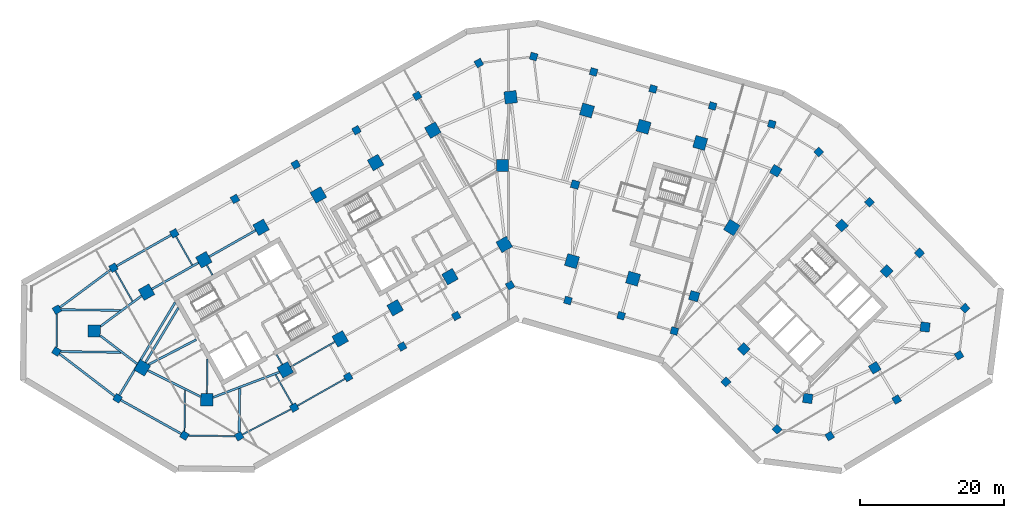
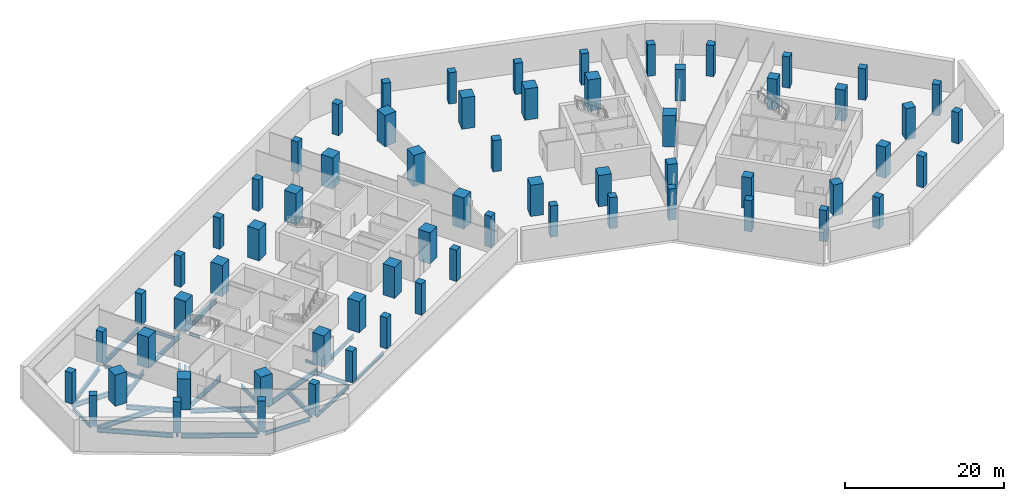
# One storey, part 1 of 13: 65 columns, 28 beams.
"""IFC4 building model written with IfcOpenShell, lengths in metres."""

from ifc_helpers import new_model, si_unit, direction, frame, origin, origin_2d, place, context, subcontext, project, spatial, rectangle, i_section, extrude, material, material_profile, profile_set, type_object, element, save


model = new_model("IFC4")

# Units and contexts
model_context = context("Model", 3, precision=1e-05, world=origin(), true_north=direction((0.0, 1.0)))
body_context = subcontext(model_context, "Body", "Model", "MODEL_VIEW")
ifc_project = project(units=[si_unit("LENGTHUNIT", "METRE"), si_unit("AREAUNIT", "SQUARE_METRE"), si_unit("VOLUMEUNIT", "CUBIC_METRE"), si_unit("PLANEANGLEUNIT", "RADIAN"), si_unit("MASSUNIT", "GRAM", prefix="KILO")], contexts=[model_context])

# Site, building, storey
site_placement = place(None, origin())
site = spatial("IfcSite", under=ifc_project, at=site_placement, CompositionType="ELEMENT")
building_placement = place(site_placement, origin())
building = spatial("IfcBuilding", under=site, at=building_placement, Name="Binnacle Exchange Tower", CompositionType="ELEMENT")
storey_placement = place(building_placement, frame((0.0, 0.0, -4.800048828125)))
storey = spatial("IfcBuildingStorey", under=building, at=storey_placement, Name="B1", CompositionType="ELEMENT", Elevation=-4.800048828125)

# Columns
ifc_material_1 = material(Name="Concrete C60/75", Category="concrete")
ifc_material_profile_1 = material_profile(ifc_material_1, rectangle(XDim=1.10009765625, YDim=1.10009765625, at=origin_2d()), Name="Column 1100x1100 C60/75")
ifc_profile_set_1 = profile_set([ifc_material_profile_1], Name="Concrete C60/75")
column_type_1 = type_object("IfcColumnType", Name="Column 1100x1100 C60/75", PredefinedType="COLUMN", material=ifc_profile_set_1)
column_placement = place(storey_placement, frame((9.240966796875, 57.35009765625, 0.0), z_axis=(0.0, 0.0, 1.0), x_axis=(0.961261695938, -0.275637355817, 0.0)))
element("IfcColumn", 1, at=column_placement, inside=storey, type_object=column_type_1, Name="S:COL:C19:B1", PredefinedType="COLUMN", context=body_context, shape_type="SweptSolid", body=[
    extrude(rectangle(XDim=1.10009765625, YDim=1.10009765625, at=origin_2d()), origin(), (0.0, 0.0, 1.0), 4.800048828125),
])
ifc_material_2 = material(Name="Concrete C70/85", Category="concrete")
ifc_material_profile_2 = material_profile(ifc_material_2, rectangle(XDim=1.300048828125, YDim=1.300048828125, at=origin_2d()), Name="Mega column 1300x1300 C70/85")
ifc_profile_set_2 = profile_set([ifc_material_profile_2], Name="Concrete C70/85")
column_type_2 = type_object("IfcColumnType", Name="Mega column 1300x1300 C70/85", PredefinedType="COLUMN", material=ifc_profile_set_2)
for number, where, z_axis, x_axis, name in (
    (2, (37.0849609375, 59.262451171875, 0.0), (0.0, 0.0, 1.0), (-0.859406411501, 0.511293086077, 0.0), "S:COL:MC57:B1"),
    (3, (25.766845703125, 41.85986328125, 0.0), (0.0, 0.0, 1.0), (0.961261695938, -0.275637355817, 0.0), "S:COL:MC56:B1"),
    (4, (32.64111328125, 34.530029296875, 0.0), (0.0, 0.0, 1.0), (0.7009092643, -0.713250449154, 0.0), "S:COL:MC59:B1"),
    (5, (41.519775390625, 27.6748046875, 0.0), (0.0, 0.0, 1.0), (0.99200494968, -0.126198969136, 0.0), "S:COL:MC61:B1"),
    (6, (50.81201171875, 31.930908203125, 0.0), (0.0, 0.0, 1.0), (0.857167300702, 0.51503807491, 0.0), "S:COL:MC63:B1"),
    (7, (57.799072265625, 37.5810546875, 0.0), (0.0, 0.0, 1.0), (0.126198969136, 0.99200494968, 0.0), "S:COL:MC62:B1"),
    (8, (52.466796875, 45.33935546875, 0.0), (0.0, 0.0, 1.0), (-0.7009092643, 0.713250449154, 0.0), "S:COL:MC60:B1"),
    (9, (46.248291015625, 51.667236328125, 0.0), (0.0, 0.0, 1.0), (-0.7009092643, 0.713250449154, 0.0), "S:COL:MC58:B1"),
):
    element("IfcColumn", number, at=place(storey_placement, frame(where, z_axis=z_axis, x_axis=x_axis)), inside=storey, type_object=column_type_2, Name=name, PredefinedType="COLUMN", context=body_context, shape_type="SweptSolid", body=[
        extrude(rectangle(XDim=1.300048828125, YDim=1.300048828125, at=origin_2d()), origin(), (0.0, 0.0, 1.0), 4.800048828125),
    ])
ifc_material_profile_3 = material_profile(ifc_material_2, rectangle(XDim=1.699951171875, YDim=1.699951171875, at=origin_2d()), Name="Mega column 1700x1700 C70/85")
ifc_profile_set_3 = profile_set([ifc_material_profile_3], Name="Concrete C70/85")
column_type_3 = type_object("IfcColumnType", Name="Mega column 1700x1700 C70/85", PredefinedType="COLUMN", material=ifc_profile_set_3)
for number, where, z_axis, x_axis, name in (
    (10, (26.602783203125, 63.12353515625, 0.0), (0.0, 0.0, 1.0), (-0.961261695938, 0.275637355817, 0.0), "S:COL:MC52:B1"),
    (11, (18.746337890625, 65.376220703125, 0.0), (0.0, 0.0, 1.0), (-0.961261695938, 0.275637355817, 0.0), "S:COL:MC50:B1"),
    (12, (10.889892578125, 67.62890625, 0.0), (0.0, 0.0, 1.0), (-0.961261695938, 0.275637355817, 0.0), "S:COL:MC48:B1"),
    (13, (0.300048828125, 69.464111328125, 0.0), (0.0, 0.0, 1.0), (-0.993068456955, -0.117537397458, 0.0), "S:COL:MC47:B1"),
    (14, (-10.4951171875, 64.901611328125, 0.0), (0.0, 0.0, 1.0), (-0.87035569594, -0.492423560103, 0.0), "S:COL:MC38:B1"),
    (15, (-18.44140625, 60.406005859375, 0.0), (0.0, 0.0, 1.0), (-0.87035569594, -0.492423560103, 0.0), "S:COL:MC29:B1"),
    (16, (-26.3876953125, 55.91015625, 0.0), (0.0, 0.0, 1.0), (-0.87035569594, -0.492423560103, 0.0), "S:COL:MC21:B1"),
    (17, (-34.333740234375, 51.414306640625, 0.0), (0.0, 0.0, 1.0), (-0.87035569594, -0.492423560103, 0.0), "S:COL:MC13:B1"),
    (18, (-42.280029296875, 46.918701171875, 0.0), (0.0, 0.0, 1.0), (-0.87035569594, -0.492423560103, 0.0), "S:COL:MC08:B1"),
    (19, (-50.226318359375, 42.4228515625, 0.0), (0.0, 0.0, 1.0), (-0.87035569594, -0.492423560103, 0.0), "S:COL:MC04:B1"),
    (20, (-57.492919921875, 37.02734375, 0.0), (0.0, 0.0, 1.0), (-0.013089595571, -0.999914327574, 0.0), "S:COL:MC02:B1"),
    (21, (-50.81201171875, 31.930908203125, 0.0), (0.0, 0.0, 1.0), (0.857167300702, -0.51503807491, 0.0), "S:COL:MC01:B1"),
    (22, (-41.857666015625, 27.494873046875, 0.0), (0.0, 0.0, 1.0), (0.999914327574, -0.013089595571, 0.0), "S:COL:MC03:B1"),
    (23, (-30.9755859375, 31.63525390625, 0.0), (0.0, 0.0, 1.0), (0.87035569594, 0.492423560103, 0.0), "S:COL:MC07:B1"),
    (24, (-23.35595703125, 35.9462890625, 0.0), (0.0, 0.0, 1.0), (0.87035569594, 0.492423560103, 0.0), "S:COL:MC16:B1"),
    (25, (-15.736328125, 40.257080078125, 0.0), (0.0, 0.0, 1.0), (0.87035569594, 0.492423560103, 0.0), "S:COL:MC24:B1"),
    (26, (-8.116943359375, 44.568115234375, 0.0), (0.0, 0.0, 1.0), (0.87035569594, 0.492423560103, 0.0), "S:COL:MC35:B1"),
    (27, (-0.5908203125, 49.04443359375, 0.0), (0.0, 0.0, 1.0), (0.87035569594, 0.492423560103, 0.0), "S:COL:MC46:B1"),
    (28, (8.8095703125, 46.722412109375, 0.0), (0.0, 0.0, 1.0), (0.961261695938, -0.275637355817, 0.0), "S:COL:MC49:B1"),
    (29, (17.2880859375, 44.291015625, 0.0), (0.0, 0.0, 1.0), (0.961261695938, -0.275637355817, 0.0), "S:COL:MC51:B1"),
    (30, (30.989501953125, 51.38623046875, 0.0), (0.0, 0.0, 1.0), (0.529919264233, 0.848048096156, 0.0), "S:COL:MC55:B1"),
    (31, (-0.85009765625, 60.0, 0.0), (0.0, 0.0, 1.0), (0.0, 1.0, 0.0), "S:COL:MC45:B1"),
):
    element("IfcColumn", number, at=place(storey_placement, frame(where, z_axis=z_axis, x_axis=x_axis)), inside=storey, type_object=column_type_3, Name=name, PredefinedType="COLUMN", context=body_context, shape_type="SweptSolid", body=[
        extrude(rectangle(XDim=1.699951171875, YDim=1.699951171875, at=origin_2d()), origin(), (0.0, 0.0, 1.0), 4.800048828125),
    ])
ifc_material_3 = material(Name="Concrete C50/60", Category="concrete")
ifc_material_profile_4 = material_profile(ifc_material_3, rectangle(XDim=1.0, YDim=1.0, at=origin_2d()), Name="Podium column 1000x1000 C50/60")
ifc_profile_set_4 = profile_set([ifc_material_profile_4], Name="Concrete C50/60")
column_type_4 = type_object("IfcColumnType", Name="Podium column 1000x1000 C50/60", PredefinedType="COLUMN", material=ifc_profile_set_4)
for number, where, z_axis, x_axis, name in (
    (32, (36.5283203125, 65.739013671875, 0.0), (0.0, 0.0, 1.0), (-0.961261695938, 0.275637355817, 0.0), "S:COL:C25:B1"),
    (33, (28.31591796875, 68.249755859375, 0.0), (0.0, 0.0, 1.0), (-0.961261695938, 0.275637355817, 0.0), "S:COL:C24:B1"),
    (34, (20.0625, 70.616455078125, 0.0), (0.0, 0.0, 1.0), (-0.961261695938, 0.275637355817, 0.0), "S:COL:C22:B1"),
    (35, (11.808837890625, 72.983154296875, 0.0), (0.0, 0.0, 1.0), (-0.961261695938, 0.275637355817, 0.0), "S:COL:C20:B1"),
    (36, (3.486083984375, 75.109619140625, 0.0), (0.0, 0.0, 1.0), (-0.961261695938, 0.275637355817, 0.0), "S:COL:C18:B1"),
    (37, (-4.115966796875, 74.209716796875, 0.0), (0.0, 0.0, 1.0), (-0.87035569594, -0.492423560103, 0.0), "S:COL:C16:B1"),
    (38, (-12.66748046875, 69.65869140625, 0.0), (0.0, 0.0, 1.0), (-0.87035569594, -0.492423560103, 0.0), "S:COL:C15:B1"),
    (39, (-21.095703125, 64.89013671875, 0.0), (0.0, 0.0, 1.0), (-0.87035569594, -0.492423560103, 0.0), "S:COL:C13:B1"),
    (40, (-29.524169921875, 60.12158203125, 0.0), (0.0, 0.0, 1.0), (-0.87035569594, -0.492423560103, 0.0), "S:COL:C11:B1"),
    (41, (-37.95263671875, 55.35302734375, 0.0), (0.0, 0.0, 1.0), (-0.87035569594, -0.492423560103, 0.0), "S:COL:C10:B1"),
    (42, (-46.381103515625, 50.58447265625, 0.0), (0.0, 0.0, 1.0), (-0.87035569594, -0.492423560103, 0.0), "S:COL:C08:B1"),
    (43, (-54.8095703125, 45.81591796875, 0.0), (0.0, 0.0, 1.0), (-0.87035569594, -0.492423560103, 0.0), "S:COL:C06:B1"),
    (44, (-62.64697265625, 40.0029296875, 0.0), (0.0, 0.0, 1.0), (-0.87035569594, -0.492423560103, 0.0), "S:COL:C05:B1"),
    (45, (-62.722900390625, 34.18798828125, 0.0), (0.0, 0.0, 1.0), (0.857167300702, -0.51503807491, 0.0), "S:COL:C03:B1"),
    (46, (-54.244873046875, 27.69384765625, 0.0), (0.0, 0.0, 1.0), (0.857167300702, -0.51503807491, 0.0), "S:COL:C02:B1"),
    (47, (-44.968505859375, 22.5283203125, 0.0), (0.0, 0.0, 1.0), (0.857167300702, -0.51503807491, 0.0), "S:COL:C01:B1"),
    (48, (-37.378173828125, 22.428955078125, 0.0), (0.0, 0.0, 1.0), (0.87035569594, 0.492423560103, 0.0), "S:COL:C04:B1"),
    (49, (-29.740478515625, 26.4052734375, 0.0), (0.0, 0.0, 1.0), (0.87035569594, 0.492423560103, 0.0), "S:COL:C07:B1"),
    (50, (-22.250732421875, 30.642822265625, 0.0), (0.0, 0.0, 1.0), (0.87035569594, 0.492423560103, 0.0), "S:COL:C09:B1"),
    (51, (-14.760986328125, 34.88037109375, 0.0), (0.0, 0.0, 1.0), (0.87035569594, 0.492423560103, 0.0), "S:COL:C12:B1"),
    (52, (-7.27099609375, 39.117919921875, 0.0), (0.0, 0.0, 1.0), (0.87035569594, 0.492423560103, 0.0), "S:COL:C14:B1"),
    (53, (0.21875, 43.35546875, 0.0), (0.0, 0.0, 1.0), (0.87035569594, 0.492423560103, 0.0), "S:COL:C17:B1"),
    (54, (8.242919921875, 41.26708984375, 0.0), (0.0, 0.0, 1.0), (0.961261695938, -0.275637355817, 0.0), "S:COL:C21:B1"),
    (55, (15.6279296875, 39.1494140625, 0.0), (0.0, 0.0, 1.0), (0.961261695938, -0.275637355817, 0.0), "S:COL:C23:B1"),
    (56, (23.01318359375, 37.031982421875, 0.0), (0.0, 0.0, 1.0), (0.961261695938, -0.275637355817, 0.0), "S:COL:C26:B1"),
    (57, (30.17236328125, 29.9658203125, 0.0), (0.0, 0.0, 1.0), (0.7009092643, -0.713250449154, 0.0), "S:COL:C29:B1"),
    (58, (37.26708984375, 23.38818359375, 0.0), (0.0, 0.0, 1.0), (0.7009092643, -0.713250449154, 0.0), "S:COL:C32:B1"),
    (59, (44.563720703125, 22.4599609375, 0.0), (0.0, 0.0, 1.0), (0.857167300702, 0.51503807491, 0.0), "S:COL:C35:B1"),
    (60, (53.86376953125, 27.52294921875, 0.0), (0.0, 0.0, 1.0), (0.857167300702, 0.51503807491, 0.0), "S:COL:C34:B1"),
    (61, (62.52001953125, 33.65771484375, 0.0), (0.0, 0.0, 1.0), (0.857167300702, 0.51503807491, 0.0), "S:COL:C33:B1"),
    (62, (63.35205078125, 40.197509765625, 0.0), (0.0, 0.0, 1.0), (-0.7009092643, 0.713250449154, 0.0), "S:COL:C31:B1"),
    (63, (57.02197265625, 47.8515625, 0.0), (0.0, 0.0, 1.0), (-0.7009092643, 0.713250449154, 0.0), "S:COL:C30:B1"),
    (64, (50.085693359375, 54.91015625, 0.0), (0.0, 0.0, 1.0), (-0.7009092643, 0.713250449154, 0.0), "S:COL:C28:B1"),
    (65, (43.04248046875, 61.86328125, 0.0), (0.0, 0.0, 1.0), (-0.7009092643, 0.713250449154, 0.0), "S:COL:C27:B1"),
):
    element("IfcColumn", number, at=place(storey_placement, frame(where, z_axis=z_axis, x_axis=x_axis)), inside=storey, type_object=column_type_4, Name=name, PredefinedType="COLUMN", context=body_context, shape_type="SweptSolid", body=[
        extrude(rectangle(XDim=1.0, YDim=1.0, at=origin_2d()), origin(), (0.0, 0.0, 1.0), 4.800048828125),
    ])

# Beams
ifc_material_4 = material(Name="Steel S355 (SHN355)", Category="steel")
ifc_material_profile_5 = material_profile(ifc_material_4, i_section(OverallWidth=0.199951171875, OverallDepth=0.5, WebThickness=0.010009765625, FlangeThickness=0.01611328125, FilletRadius=0.02001953125, at=origin_2d()), Name="H 500x200x10x16")
ifc_profile_set_5 = profile_set([ifc_material_profile_5], Name="Steel S355 (SHN355)")
beam_type_1 = type_object("IfcBeamType", Name="Edge girder H 500x200x10x16 Steel S355 (SHN355)", PredefinedType="SPANDREL", material=ifc_profile_set_5)
beam_1_placement = place(storey_placement, frame((-62.71533203125, 34.7666015625, -0.64990234375), z_axis=(0.013051255038, 0.999914828744, 0.0), x_axis=(-0.999914828744, 0.013051255038, 0.0)))
element("IfcBeam", 66, at=beam_1_placement, inside=storey, type_object=beam_type_1, Name="S:BM:edge:B1:014", PredefinedType="SPANDREL", context=body_context, shape_type="SweptSolid", body=[
    extrude(i_section(OverallWidth=0.199951171875, OverallDepth=0.5, WebThickness=0.010009765625, FlangeThickness=0.01611328125, FilletRadius=0.02001953125, at=origin_2d()), origin(), (0.0, 0.0, 1.0), 4.657958984375),
])
ifc_material_profile_6 = material_profile(ifc_material_4, i_section(OverallWidth=0.199951171875, OverallDepth=0.60009765625, WebThickness=0.010986328125, FlangeThickness=0.01708984375, FilletRadius=0.02197265625, at=origin_2d()), Name="H 600x200x11x17")
ifc_profile_set_6 = profile_set([ifc_material_profile_6], Name="Steel S355 (SHN355)")
beam_type_2 = type_object("IfcBeamType", Name="Edge girder H 600x200x11x17 Steel S355 (SHN355)", PredefinedType="SPANDREL", material=ifc_profile_set_6)
beam_2_placement = place(storey_placement, frame((-37.95703125, 22.4365234375, -0.699951171875), z_axis=(-0.999914291463, 0.013092353811, 0.0), x_axis=(-0.013092353811, -0.999914291463, 0.0)))
element("IfcBeam", 67, at=beam_2_placement, inside=storey, type_object=beam_type_2, Name="S:BM:edge:B1:025", PredefinedType="SPANDREL", context=body_context, shape_type="SweptSolid", body=[
    extrude(i_section(OverallWidth=0.199951171875, OverallDepth=0.60009765625, WebThickness=0.010986328125, FlangeThickness=0.01708984375, FilletRadius=0.02197265625, at=origin_2d()), origin(), (0.0, 0.0, 1.0), 6.433349609375),
])
ifc_material_profile_7 = material_profile(ifc_material_4, i_section(OverallWidth=0.201904296875, OverallDepth=0.612060546875, WebThickness=0.012939453125, FlangeThickness=0.02294921875, FilletRadius=0.02197265625, at=origin_2d()), Name="H 612x202x13x23")
ifc_profile_set_7 = profile_set([ifc_material_profile_7], Name="Steel S355 (SHN355)")
beam_type_3 = type_object("IfcBeamType", Name="Edge girder H 612x202x13x23 Steel S355 (SHN355)", PredefinedType="SPANDREL", material=ifc_profile_set_7)
beam_3_placement = place(storey_placement, frame((-30.23583984375, 32.053955078125, -0.7060546875), z_axis=(0.870373276953, 0.492392484473, 0.0), x_axis=(-0.492392484473, 0.870373276953, 0.0)))
element("IfcBeam", 68, at=beam_3_placement, inside=storey, type_object=beam_type_3, Name="S:BM:edge:B1:028", PredefinedType="SPANDREL", context=body_context, shape_type="SweptSolid", body=[
    extrude(i_section(OverallWidth=0.201904296875, OverallDepth=0.612060546875, WebThickness=0.012939453125, FlangeThickness=0.02294921875, FilletRadius=0.02197265625, at=origin_2d()), origin(), (0.0, 0.0, 1.0), 7.0546875),
])
beam_4_placement = place(storey_placement, frame((-30.184326171875, 26.17431640625, -0.7060546875), z_axis=(-0.88697979282, -0.461808236315, 0.0), x_axis=(0.461808236315, -0.88697979282, 0.0)))
element("IfcBeam", 69, at=beam_4_placement, inside=storey, type_object=beam_type_3, Name="S:BM:edge:B1:029", PredefinedType="SPANDREL", context=body_context, shape_type="SweptSolid", body=[
    extrude(i_section(OverallWidth=0.201904296875, OverallDepth=0.612060546875, WebThickness=0.012939453125, FlangeThickness=0.02294921875, FilletRadius=0.02197265625, at=origin_2d()), origin(), (0.0, 0.0, 1.0), 7.610107421875),
])
beam_5_placement = place(storey_placement, frame((-22.68603515625, 30.396728515625, -0.7060546875), z_axis=(-0.870352907673, -0.492428488316, 0.0), x_axis=(0.492428488316, -0.870352907673, 0.0)))
element("IfcBeam", 70, at=beam_5_placement, inside=storey, type_object=beam_type_3, Name="S:BM:edge:B1:032", PredefinedType="SPANDREL", context=body_context, shape_type="SweptSolid", body=[
    extrude(i_section(OverallWidth=0.201904296875, OverallDepth=0.612060546875, WebThickness=0.012939453125, FlangeThickness=0.02294921875, FilletRadius=0.02197265625, at=origin_2d()), origin(), (0.0, 0.0, 1.0), 7.60546875),
])
ifc_material_profile_8 = material_profile(ifc_material_4, i_section(OverallWidth=0.300048828125, OverallDepth=0.699951171875, WebThickness=0.012939453125, FlangeThickness=0.02392578125, FilletRadius=0.028076171875, at=origin_2d()), Name="H 700x300x13x24")
ifc_profile_set_8 = profile_set([ifc_material_profile_8], Name="Steel S355 (SHN355)")
beam_type_4 = type_object("IfcBeamType", Name="Edge girder H 700x300x13x24 Steel S355 (SHN355)", PredefinedType="SPANDREL", material=ifc_profile_set_8)
beam_6_placement = place(storey_placement, frame((-62.2421875, 40.302978515625, -0.75), z_axis=(0.803179419827, 0.5957372068, 0.0), x_axis=(-0.5957372068, 0.803179419827, 0.0)))
element("IfcBeam", 71, at=beam_6_placement, inside=storey, type_object=beam_type_4, Name="S:BM:edge:B1:015", PredefinedType="SPANDREL", context=body_context, shape_type="SweptSolid", body=[
    extrude(i_section(OverallWidth=0.300048828125, OverallDepth=0.699951171875, WebThickness=0.012939453125, FlangeThickness=0.02392578125, FilletRadius=0.028076171875, at=origin_2d()), origin(), (0.0, 0.0, 1.0), 8.750244140625),
])
beam_7_placement = place(storey_placement, frame((-54.644287109375, 27.999755859375, -0.75), z_axis=(-0.793871146685, 0.608086015676, 0.0), x_axis=(-0.608086015676, -0.793871146685, 0.0)))
element("IfcBeam", 72, at=beam_7_placement, inside=storey, type_object=beam_type_4, Name="S:BM:edge:B1:017", PredefinedType="SPANDREL", context=body_context, shape_type="SweptSolid", body=[
    extrude(i_section(OverallWidth=0.300048828125, OverallDepth=0.699951171875, WebThickness=0.012939453125, FlangeThickness=0.02392578125, FilletRadius=0.028076171875, at=origin_2d()), origin(), (0.0, 0.0, 1.0), 9.673095703125),
])
beam_8_placement = place(storey_placement, frame((-54.374267578125, 46.06201171875, -0.75), z_axis=(0.870345980185, 0.492440732247, 0.0), x_axis=(-0.492440732247, 0.870345980185, 0.0)))
element("IfcBeam", 73, at=beam_8_placement, inside=storey, type_object=beam_type_4, Name="S:BM:edge:B1:018", PredefinedType="SPANDREL", context=body_context, shape_type="SweptSolid", body=[
    extrude(i_section(OverallWidth=0.300048828125, OverallDepth=0.699951171875, WebThickness=0.012939453125, FlangeThickness=0.02392578125, FilletRadius=0.028076171875, at=origin_2d()), origin(), (0.0, 0.0, 1.0), 8.68408203125),
])
beam_9_placement = place(storey_placement, frame((-50.0478515625, 31.55224609375, -0.75), z_axis=(0.896059216286, -0.443934545749, 0.0), x_axis=(0.443934545749, 0.896059216286, 0.0)))
element("IfcBeam", 74, at=beam_9_placement, inside=storey, type_object=beam_type_4, Name="S:BM:edge:B1:020", PredefinedType="SPANDREL", context=body_context, shape_type="SweptSolid", body=[
    extrude(i_section(OverallWidth=0.300048828125, OverallDepth=0.699951171875, WebThickness=0.012939453125, FlangeThickness=0.02392578125, FilletRadius=0.028076171875, at=origin_2d()), origin(), (0.0, 0.0, 1.0), 8.197509765625),
])
beam_10_placement = place(storey_placement, frame((-45.40576171875, 22.771728515625, -0.75), z_axis=(-0.873676660619, 0.486507032518, 0.0), x_axis=(-0.486507032518, -0.873676660619, 0.0)))
element("IfcBeam", 75, at=beam_10_placement, inside=storey, type_object=beam_type_4, Name="S:BM:edge:B1:022", PredefinedType="SPANDREL", context=body_context, shape_type="SweptSolid", body=[
    extrude(i_section(OverallWidth=0.300048828125, OverallDepth=0.699951171875, WebThickness=0.012939453125, FlangeThickness=0.02392578125, FilletRadius=0.028076171875, at=origin_2d()), origin(), (0.0, 0.0, 1.0), 9.616943359375),
])
beam_11_placement = place(storey_placement, frame((-43.019775390625, 46.5, -0.75), z_axis=(-0.870364477798, -0.492408037898, 0.0), x_axis=(0.492408037898, -0.870364477798, 0.0)))
element("IfcBeam", 76, at=beam_11_placement, inside=storey, type_object=beam_type_4, Name="S:BM:edge:B1:023", PredefinedType="SPANDREL", context=body_context, shape_type="SweptSolid", body=[
    extrude(i_section(OverallWidth=0.300048828125, OverallDepth=0.699951171875, WebThickness=0.012939453125, FlangeThickness=0.02392578125, FilletRadius=0.028076171875, at=origin_2d()), origin(), (0.0, 0.0, 1.0), 7.4296875),
])
beam_12_placement = place(storey_placement, frame((-35.073486328125, 50.995849609375, -0.75), z_axis=(-0.870372444894, -0.492393955253, 0.0), x_axis=(0.492393955253, -0.870372444894, 0.0)))
element("IfcBeam", 77, at=beam_12_placement, inside=storey, type_object=beam_type_4, Name="S:BM:edge:B1:027", PredefinedType="SPANDREL", context=body_context, shape_type="SweptSolid", body=[
    extrude(i_section(OverallWidth=0.300048828125, OverallDepth=0.699951171875, WebThickness=0.012939453125, FlangeThickness=0.02392578125, FilletRadius=0.028076171875, at=origin_2d()), origin(), (0.0, 0.0, 1.0), 7.429931640625),
])
ifc_material_profile_9 = material_profile(ifc_material_4, i_section(OverallWidth=0.302001953125, OverallDepth=0.7080078125, WebThickness=0.014892578125, FlangeThickness=0.028076171875, FilletRadius=0.028076171875, at=origin_2d()), Name="H 708x302x15x28")
ifc_profile_set_9 = profile_set([ifc_material_profile_9], Name="Steel S355 (SHN355)")
beam_type_5 = type_object("IfcBeamType", Name="Edge girder H 708x302x15x28 Steel S355 (SHN355)", PredefinedType="SPANDREL", material=ifc_profile_set_9)
beam_13_placement = place(storey_placement, frame((-56.6513671875, 36.38525390625, -0.75390625), z_axis=(0.795093040263, -0.606487474994, 0.0), x_axis=(0.606487474994, 0.795093040263, 0.0)))
element("IfcBeam", 78, at=beam_13_placement, inside=storey, type_object=beam_type_5, Name="S:BM:edge:B1:016", PredefinedType="SPANDREL", context=body_context, shape_type="SweptSolid", body=[
    extrude(i_section(OverallWidth=0.302001953125, OverallDepth=0.7080078125, WebThickness=0.014892578125, FlangeThickness=0.028076171875, FilletRadius=0.028076171875, at=origin_2d()), origin(), (0.0, 0.0, 1.0), 6.489013671875),
])
beam_14_placement = place(storey_placement, frame((-50.913818359375, 41.912353515625, -0.75390625), z_axis=(-0.80288535334, -0.59613346609, 0.0), x_axis=(0.59613346609, -0.80288535334, 0.0)))
element("IfcBeam", 79, at=beam_14_placement, inside=storey, type_object=beam_type_5, Name="S:BM:edge:B1:019", PredefinedType="SPANDREL", context=body_context, shape_type="SweptSolid", body=[
    extrude(i_section(OverallWidth=0.302001953125, OverallDepth=0.7080078125, WebThickness=0.014892578125, FlangeThickness=0.028076171875, FilletRadius=0.028076171875, at=origin_2d()), origin(), (0.0, 0.0, 1.0), 7.125244140625),
])
beam_15_placement = place(storey_placement, frame((-41.00341796875, 27.81982421875, -0.75390625), z_axis=(0.934628738252, 0.355624973297, 0.0), x_axis=(-0.355624973297, 0.934628738252, 0.0)))
element("IfcBeam", 80, at=beam_15_placement, inside=storey, type_object=beam_type_5, Name="S:BM:edge:B1:024", PredefinedType="SPANDREL", context=body_context, shape_type="SweptSolid", body=[
    extrude(i_section(OverallWidth=0.302001953125, OverallDepth=0.7080078125, WebThickness=0.014892578125, FlangeThickness=0.028076171875, FilletRadius=0.028076171875, at=origin_2d()), origin(), (0.0, 0.0, 1.0), 9.869384765625),
])
ifc_material_profile_10 = material_profile(ifc_material_4, i_section(OverallWidth=0.199951171875, OverallDepth=0.39990234375, WebThickness=0.008056640625, FlangeThickness=0.012939453125, FilletRadius=0.01611328125, at=origin_2d()), Name="H 400x200x8x13")
ifc_profile_set_10 = profile_set([ifc_material_profile_10], Name="Steel S355 (SHN355)")
beam_type_6 = type_object("IfcBeamType", Name="Floor beam H 400x200x8x13 Steel S355 (SHN355)", PredefinedType="BEAM", material=ifc_profile_set_10)
for number, where, z_axis, x_axis, name in (
    (81, (-41.861328125, 46.178955078125, -0.599853515625), (0.492366981934, -0.870387703901, 0.0), (0.870387703901, 0.492366981934, 0.0), "S:BM:cross:B1:083"),
    (82, (-31.394287109375, 32.375, -0.599853515625), (-0.492366981934, 0.870387703901, 0.0), (-0.870387703901, -0.492366981934, 0.0), "S:BM:cross:B1:088"),
):
    element("IfcBeam", number, at=place(storey_placement, frame(where, z_axis=z_axis, x_axis=x_axis)), inside=storey, type_object=beam_type_6, Name=name, PredefinedType="BEAM", context=body_context, shape_type="SweptSolid", body=[
        extrude(i_section(OverallWidth=0.199951171875, OverallDepth=0.39990234375, WebThickness=0.008056640625, FlangeThickness=0.012939453125, FilletRadius=0.01611328125, at=origin_2d()), origin(), (0.0, 0.0, 1.0), 1.584228515625),
    ])
ifc_material_profile_11 = material_profile(ifc_material_4, i_section(OverallWidth=0.200927734375, OverallDepth=0.506103515625, WebThickness=0.010986328125, FlangeThickness=0.01904296875, FilletRadius=0.02001953125, at=origin_2d()), Name="H 506x201x11x19")
ifc_profile_set_11 = profile_set([ifc_material_profile_11], Name="Steel S355 (SHN355)")
beam_type_7 = type_object("IfcBeamType", Name="Floor beam H 506x201x11x19 Steel S355 (SHN355)", PredefinedType="BEAM", material=ifc_profile_set_11)
beam_16_placement = place(storey_placement, frame((-46.134765625, 50.1494140625, -0.65283203125), z_axis=(0.492392410291, -0.87037331892, 0.0), x_axis=(0.87037331892, 0.492392410291, 0.0)))
element("IfcBeam", 83, at=beam_16_placement, inside=storey, type_object=beam_type_7, Name="S:BM:cross:B1:081", PredefinedType="BEAM", context=body_context, shape_type="SweptSolid", body=[
    extrude(i_section(OverallWidth=0.200927734375, OverallDepth=0.506103515625, WebThickness=0.010986328125, FlangeThickness=0.01904296875, FilletRadius=0.02001953125, at=origin_2d()), origin(), (0.0, 0.0, 1.0), 4.56005859375),
])
ifc_material_profile_12 = material_profile(ifc_material_4, i_section(OverallWidth=0.199951171875, OverallDepth=0.60009765625, WebThickness=0.010986328125, FlangeThickness=0.01708984375, FilletRadius=0.02197265625, at=origin_2d()), Name="H 600x200x11x17")
ifc_profile_set_12 = profile_set([ifc_material_profile_12], Name="Steel S355 (SHN355)")
beam_type_8 = type_object("IfcBeamType", Name="Floor beam H 600x200x11x17 Steel S355 (SHN355)", PredefinedType="BEAM", material=ifc_profile_set_12)
beam_17_placement = place(storey_placement, frame((-54.563232421875, 45.380615234375, -0.699951171875), z_axis=(0.492430552239, -0.870351739943, 0.0), x_axis=(0.870351739943, 0.492430552239, 0.0)))
element("IfcBeam", 84, at=beam_17_placement, inside=storey, type_object=beam_type_8, Name="S:BM:cross:B1:078", PredefinedType="BEAM", context=body_context, shape_type="SweptSolid", body=[
    extrude(i_section(OverallWidth=0.199951171875, OverallDepth=0.60009765625, WebThickness=0.010986328125, FlangeThickness=0.01708984375, FilletRadius=0.02197265625, at=origin_2d()), origin(), (0.0, 0.0, 1.0), 4.848388671875),
])
beam_18_placement = place(storey_placement, frame((-41.8466796875, 28.3447265625, -0.699951171875), z_axis=(0.013120628196, 0.999913920853, 0.0), x_axis=(-0.999913920853, 0.013120628196, 0.0)))
element("IfcBeam", 85, at=beam_18_placement, inside=storey, type_object=beam_type_8, Name="S:BM:cross:B1:084", PredefinedType="BEAM", context=body_context, shape_type="SweptSolid", body=[
    extrude(i_section(OverallWidth=0.199951171875, OverallDepth=0.60009765625, WebThickness=0.010986328125, FlangeThickness=0.01708984375, FilletRadius=0.02197265625, at=origin_2d()), origin(), (0.0, 0.0, 1.0), 4.80078125),
])
beam_19_placement = place(storey_placement, frame((-29.98681640625, 26.840576171875, -0.699951171875), z_axis=(-0.492417108435, 0.870359346087, 0.0), x_axis=(-0.870359346087, -0.492417108435, 0.0)))
element("IfcBeam", 86, at=beam_19_placement, inside=storey, type_object=beam_type_8, Name="S:BM:cross:B1:089", PredefinedType="BEAM", context=body_context, shape_type="SweptSolid", body=[
    extrude(i_section(OverallWidth=0.199951171875, OverallDepth=0.60009765625, WebThickness=0.010986328125, FlangeThickness=0.01708984375, FilletRadius=0.02197265625, at=origin_2d()), origin(), (0.0, 0.0, 1.0), 4.73876953125),
])
ifc_material_profile_13 = material_profile(ifc_material_4, i_section(OverallWidth=0.201904296875, OverallDepth=0.612060546875, WebThickness=0.012939453125, FlangeThickness=0.02294921875, FilletRadius=0.02197265625, at=origin_2d()), Name="H 612x202x13x23")
ifc_profile_set_13 = profile_set([ifc_material_profile_13], Name="Steel S355 (SHN355)")
beam_type_9 = type_object("IfcBeamType", Name="Floor beam H 612x202x13x23 Steel S355 (SHN355)", PredefinedType="BEAM", material=ifc_profile_set_13)
beam_20_placement = place(storey_placement, frame((-44.9609375, 23.107177734375, -0.7060546875), z_axis=(0.013063826795, 0.999914664574, 0.0), x_axis=(-0.999914664574, 0.013063826795, 0.0)))
element("IfcBeam", 87, at=beam_20_placement, inside=storey, type_object=beam_type_9, Name="S:BM:cross:B1:082", PredefinedType="BEAM", context=body_context, shape_type="SweptSolid", body=[
    extrude(i_section(OverallWidth=0.201904296875, OverallDepth=0.612060546875, WebThickness=0.012939453125, FlangeThickness=0.02294921875, FilletRadius=0.02197265625, at=origin_2d()), origin(), (0.0, 0.0, 1.0), 5.7373046875),
])
ifc_material_profile_14 = material_profile(ifc_material_4, i_section(OverallWidth=0.300048828125, OverallDepth=0.699951171875, WebThickness=0.012939453125, FlangeThickness=0.02392578125, FilletRadius=0.028076171875, at=origin_2d()), Name="H 700x300x13x24")
ifc_profile_set_14 = profile_set([ifc_material_profile_14], Name="Steel S355 (SHN355)")
beam_type_10 = type_object("IfcBeamType", Name="Floor beam H 700x300x13x24 Steel S355 (SHN355)", PredefinedType="BEAM", material=ifc_profile_set_14)
beam_21_placement = place(storey_placement, frame((-37.37060546875, 23.0078125, -0.75), z_axis=(0.013099663551, 0.999914195726, 0.0), x_axis=(-0.999914195726, 0.013099663551, 0.0)))
element("IfcBeam", 88, at=beam_21_placement, inside=storey, type_object=beam_type_10, Name="S:BM:cross:B1:086", PredefinedType="BEAM", context=body_context, shape_type="SweptSolid", body=[
    extrude(i_section(OverallWidth=0.300048828125, OverallDepth=0.699951171875, WebThickness=0.012939453125, FlangeThickness=0.02392578125, FilletRadius=0.028076171875, at=origin_2d()), origin(), (0.0, 0.0, 1.0), 6.07568359375),
])
ifc_material_profile_15 = material_profile(ifc_material_4, i_section(OverallWidth=0.302001953125, OverallDepth=0.7080078125, WebThickness=0.014892578125, FlangeThickness=0.028076171875, FilletRadius=0.028076171875, at=origin_2d()), Name="H 708x302x15x28")
ifc_profile_set_15 = profile_set([ifc_material_profile_15], Name="Steel S355 (SHN355)")
beam_type_11 = type_object("IfcBeamType", Name="Floor beam H 708x302x15x28 Steel S355 (SHN355)", PredefinedType="BEAM", material=ifc_profile_set_15)
beam_22_placement = place(storey_placement, frame((-62.144287109375, 34.180419921875, -0.75390625), z_axis=(0.999914070306, -0.013109233529, 0.0), x_axis=(0.013109233529, 0.999914070306, 0.0)))
element("IfcBeam", 89, at=beam_22_placement, inside=storey, type_object=beam_type_11, Name="S:BM:cross:B1:076", PredefinedType="BEAM", context=body_context, shape_type="SweptSolid", body=[
    extrude(i_section(OverallWidth=0.302001953125, OverallDepth=0.7080078125, WebThickness=0.014892578125, FlangeThickness=0.028076171875, FilletRadius=0.028076171875, at=origin_2d()), origin(), (0.0, 0.0, 1.0), 8.380615234375),
])
beam_23_placement = place(storey_placement, frame((-62.068115234375, 39.995361328125, -0.75390625), z_axis=(0.999914190197, -0.013100085584, 0.0), x_axis=(0.013100085584, 0.999914190197, 0.0)))
element("IfcBeam", 90, at=beam_23_placement, inside=storey, type_object=beam_type_11, Name="S:BM:cross:B1:077", PredefinedType="BEAM", context=body_context, shape_type="SweptSolid", body=[
    extrude(i_section(OverallWidth=0.302001953125, OverallDepth=0.7080078125, WebThickness=0.014892578125, FlangeThickness=0.028076171875, FilletRadius=0.028076171875, at=origin_2d()), origin(), (0.0, 0.0, 1.0), 8.274658203125),
])
ifc_material_profile_16 = material_profile(ifc_material_4, i_section(OverallWidth=0.302001953125, OverallDepth=0.80810546875, WebThickness=0.01611328125, FlangeThickness=0.030029296875, FilletRadius=0.028076171875, at=origin_2d()), Name="H 808x302x16x30")
ifc_profile_set_16 = profile_set([ifc_material_profile_16], Name="Steel S355 (SHN355)")
beam_type_12 = type_object("IfcBeamType", Name="Floor beam H 808x302x16x30 Steel S355 (SHN355)", PredefinedType="BEAM", material=ifc_profile_set_16)
beam_24_placement = place(storey_placement, frame((-50.374267578125, 32.659423828125, -0.803955078125), z_axis=(0.515042389499, 0.857164708221, 0.0), x_axis=(-0.857164708221, 0.515042389499, 0.0)))
element("IfcBeam", 91, at=beam_24_placement, inside=storey, type_object=beam_type_12, Name="S:BM:cross:B1:080", PredefinedType="BEAM", context=body_context, shape_type="SweptSolid", body=[
    extrude(i_section(OverallWidth=0.302001953125, OverallDepth=0.80810546875, WebThickness=0.01611328125, FlangeThickness=0.030029296875, FilletRadius=0.028076171875, at=origin_2d()), origin(), (0.0, 0.0, 1.0), 8.865234375),
])
ifc_material_profile_17 = material_profile(ifc_material_4, i_section(OverallWidth=0.302978515625, OverallDepth=0.91796875, WebThickness=0.01904296875, FlangeThickness=0.037109375, FilletRadius=0.028076171875, at=origin_2d()), Name="H 918x303x19x37")
ifc_profile_set_17 = profile_set([ifc_material_profile_17], Name="Steel S355 (SHN355)")
beam_type_13 = type_object("IfcBeamType", Name="Floor beam H 918x303x19x37 Steel S355 (SHN355)", PredefinedType="BEAM", material=ifc_profile_set_17)
beam_25_placement = place(storey_placement, frame((-53.9873046875, 28.122314453125, -0.85888671875), z_axis=(0.515027805522, 0.857173471089, 0.0), x_axis=(-0.857173471089, 0.515027805522, 0.0)))
element("IfcBeam", 92, at=beam_25_placement, inside=storey, type_object=beam_type_13, Name="S:BM:cross:B1:079", PredefinedType="BEAM", context=body_context, shape_type="SweptSolid", body=[
    extrude(i_section(OverallWidth=0.302978515625, OverallDepth=0.91796875, WebThickness=0.01904296875, FlangeThickness=0.037109375, FilletRadius=0.028076171875, at=origin_2d()), origin(), (0.0, 0.0, 1.0), 15.04541015625),
])
ifc_material_profile_18 = material_profile(ifc_material_4, i_section(OverallWidth=0.300048828125, OverallDepth=0.699951171875, WebThickness=0.012939453125, FlangeThickness=0.02392578125, FilletRadius=0.028076171875, at=origin_2d()), Name="H 700x300x13x24")
ifc_profile_set_18 = profile_set([ifc_material_profile_18], Name="Steel S355 (SHN355)")
beam_type_14 = type_object("IfcBeamType", Name="Spine girder H 700x300x13x24 Steel S355 (SHN355)", PredefinedType="BEAM", material=ifc_profile_set_18)
beam_26_placement = place(storey_placement, frame((-49.927734375, 32.391357421875, -0.75), z_axis=(0.886979965344, 0.461807904954, 0.0), x_axis=(-0.461807904954, 0.886979965344, 0.0)))
element("IfcBeam", 93, at=beam_26_placement, inside=storey, type_object=beam_type_14, Name="S:BM:spine:B1:001", PredefinedType="BEAM", context=body_context, shape_type="SweptSolid", body=[
    extrude(i_section(OverallWidth=0.300048828125, OverallDepth=0.699951171875, WebThickness=0.012939453125, FlangeThickness=0.02392578125, FilletRadius=0.028076171875, at=origin_2d()), origin(), (0.0, 0.0, 1.0), 7.463623046875),
])

save(model, "model.ifc")
